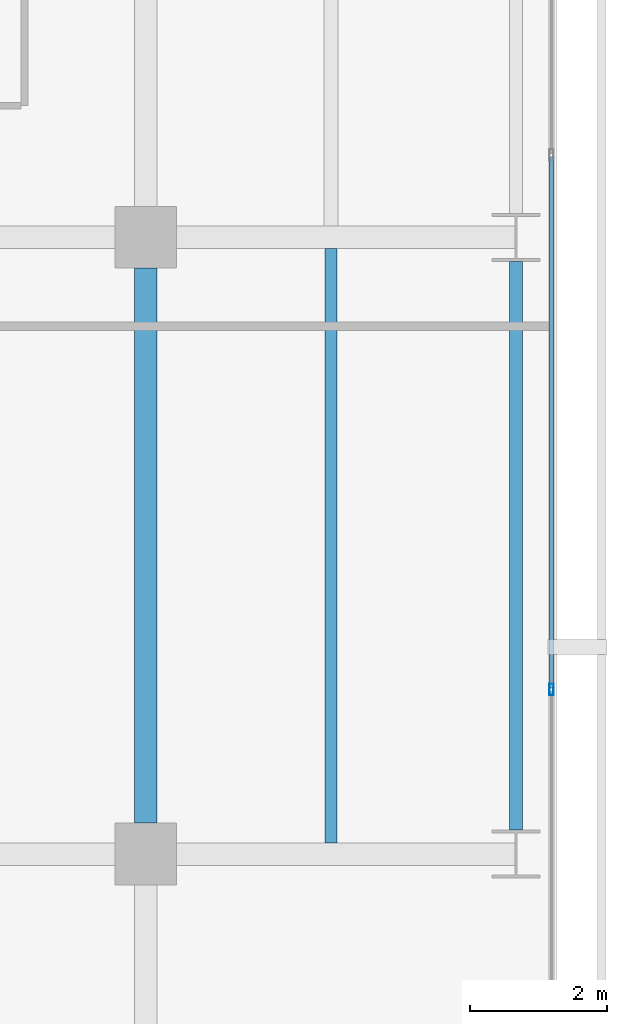
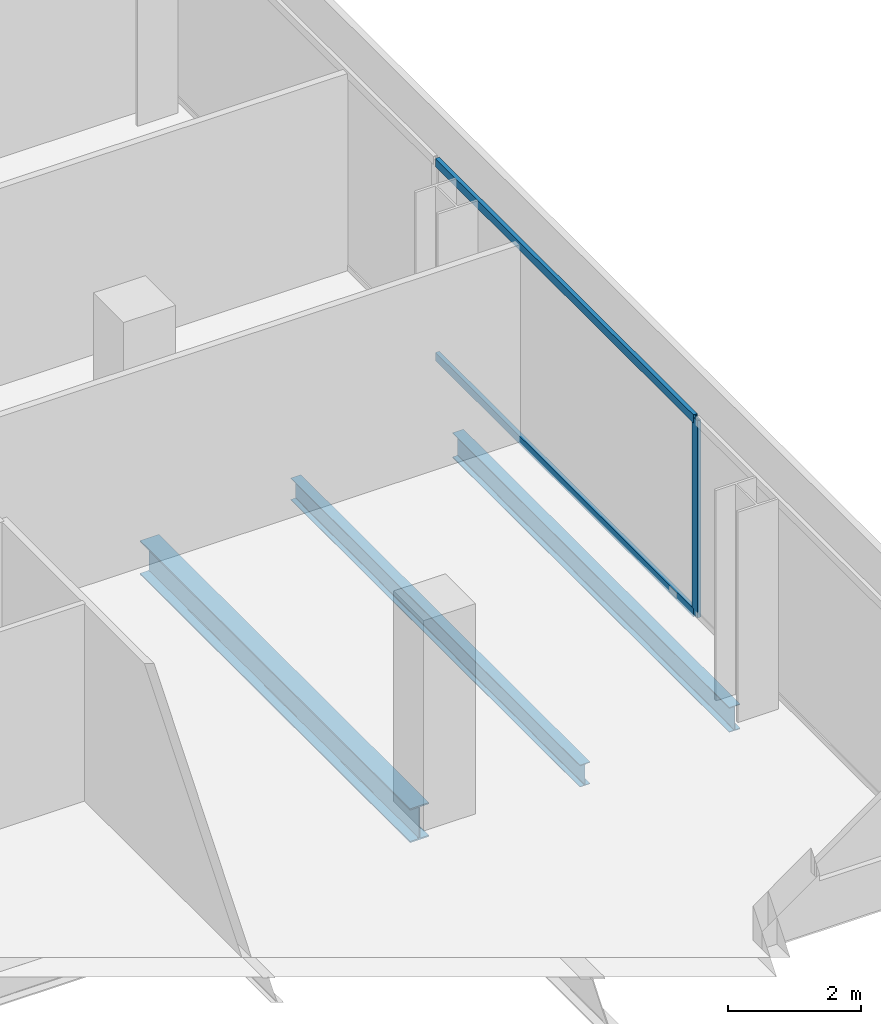
# One storey, part 17 of 40: 3 beams, 3 members, 1 element without a shape of its own.
"""IFC4 building model written with IfcOpenShell, lengths in metres."""

from ifc_helpers import new_model, si_unit, direction, frame, origin, origin_2d, place, context, subcontext, project, spatial, hollow_rectangle, i_section, extrude, material, layer, layer_set, material_profile, profile_set, type_object, element, aggregate, save


model = new_model("IFC4")

# Units and contexts
model_context = context("Model", 3, precision=1e-05, world=origin(), true_north=direction((0.0, 1.0)))
body_context = subcontext(model_context, "Body", "Model", "MODEL_VIEW")
ifc_project = project(units=[si_unit("LENGTHUNIT", "METRE"), si_unit("AREAUNIT", "SQUARE_METRE"), si_unit("VOLUMEUNIT", "CUBIC_METRE"), si_unit("PLANEANGLEUNIT", "RADIAN"), si_unit("MASSUNIT", "GRAM", prefix="KILO")], contexts=[model_context])

# Site, building, storey
site_placement = place(None, origin())
site = spatial("IfcSite", under=ifc_project, at=site_placement, CompositionType="ELEMENT")
building_placement = place(site_placement, origin())
building = spatial("IfcBuilding", under=site, at=building_placement, Name="Maruvema Waterfront Hotel and Observation Tower", CompositionType="ELEMENT")
storey_placement = place(building_placement, frame((0.0, 0.0, 42.35009765625)))
storey = spatial("IfcBuildingStorey", under=building, at=storey_placement, Name="L09", CompositionType="ELEMENT", Elevation=42.35009765625)

# Curtain wall, members
ifc_material_1 = material(Name="Anodised bronze aluminium and solar-control low-E IGU", Category="aluminium")
ifc_layer = layer(ifc_material_1, 0.159912109375, Name="Zone 1 Bronze Inner Thermal Curtain Wall System CW-02")
ifc_layer_set = layer_set([ifc_layer], Name="Anodised bronze aluminium and solar-control low-E IGU")
curtain_wall_type = type_object("IfcCurtainWallType", Name="Zone 1 Bronze Inner Thermal Curtain Wall System CW-02", PredefinedType="USERDEFINED", material=ifc_layer_set)
curtain_wall_placement = place(storey_placement, origin())
curtain_wall = element("IfcCurtainWall", 1, at=curtain_wall_placement, inside=storey, type_object=curtain_wall_type, Name="L09 Curtain Wall CW-L09-E", ObjectType="UNITISED CURTAIN WALL", PredefinedType="USERDEFINED")
ifc_material_2 = material(Name="Anodised architectural bronze aluminium", Category="aluminium")
ifc_material_profile_1 = material_profile(ifc_material_2, hollow_rectangle(XDim=0.070068359375, YDim=0.14990234375, WallThickness=0.00390625, at=origin_2d()), Name="ALU-T70x150")
ifc_profile_set_1 = profile_set([ifc_material_profile_1], Name="Anodised architectural bronze aluminium")
member_type_1 = type_object("IfcMemberType", Name="Curtain Wall Horizontal Transom ALU-T70x150", PredefinedType="USERDEFINED", material=ifc_profile_set_1)
member_1_placement = place(storey_placement, frame((64.719970703125, 11.429931640625, 0.02978515625), z_axis=(0.0, 1.0, 0.0), x_axis=(-1.0, 0.0, 0.0)))
member_1 = element("IfcMember", 2, at=member_1_placement, type_object=member_type_1, Name="CW-02 transom 2.1", ObjectType="TRANSOM", PredefinedType="USERDEFINED", context=body_context, shape_type="SweptSolid", body=[
    extrude(hollow_rectangle(XDim=0.070068359375, YDim=0.14990234375, WallThickness=0.00390625, at=origin_2d()), origin(), (0.0, 0.0, 1.0), 7.739990234375),
])
member_2_placement = place(storey_placement, frame((64.719970703125, 11.429931640625, 3.579833984375), z_axis=(0.0, 1.0, 0.0), x_axis=(-1.0, 0.0, 0.0)))
member_2 = element("IfcMember", 3, at=member_2_placement, type_object=member_type_1, Name="CW-02 transom 2.2", ObjectType="TRANSOM", PredefinedType="USERDEFINED", context=body_context, shape_type="SweptSolid", body=[
    extrude(hollow_rectangle(XDim=0.070068359375, YDim=0.14990234375, WallThickness=0.00390625, at=origin_2d()), origin(), (0.0, 0.0, 1.0), 7.739990234375),
])
ifc_material_3 = material(Name="Anodised architectural bronze aluminium", Category="aluminium")
ifc_material_profile_2 = material_profile(ifc_material_3, hollow_rectangle(XDim=0.06494140625, YDim=0.1650390625, WallThickness=0.00390625, at=origin_2d()), Name="ALU-M65x165")
ifc_profile_set_2 = profile_set([ifc_material_profile_2], Name="Anodised architectural bronze aluminium")
member_type_2 = type_object("IfcMemberType", Name="Curtain Wall Primary Mullion ALU-M65x165", PredefinedType="MULLION", material=ifc_profile_set_2)
member_3_placement = place(storey_placement, frame((64.719970703125, 11.39990234375, 0.0), z_axis=(0.0, 0.0, 1.0), x_axis=(-1.0, 0.0, 0.0)))
member_3 = element("IfcMember", 4, at=member_3_placement, type_object=member_type_2, Name="CW-02 mullion 2", PredefinedType="MULLION", context=body_context, shape_type="SweptSolid", body=[
    extrude(hollow_rectangle(XDim=0.06494140625, YDim=0.1650390625, WallThickness=0.00390625, at=origin_2d()), origin(), (0.0, 0.0, 1.0), 3.60986328125),
])
aggregate(curtain_wall, [member_3, member_1, member_2])

# Beams
ifc_material_4 = material(Name="Steel ASTM A572 Grade 50", Category="steel")
ifc_material_profile_3 = material_profile(ifc_material_4, i_section(OverallWidth=0.18994140625, OverallDepth=0.45703125, WebThickness=0.009033203125, FlangeThickness=0.014404296875, FilletRadius=0.014892578125, at=origin_2d()), Name="W460x74.0")
ifc_profile_set_3 = profile_set([ifc_material_profile_3], Name="Steel ASTM A572 Grade 50")
beam_type_1 = type_object("IfcBeamType", Name="Perimeter Spandrel Beam W460x74.0", PredefinedType="SPANDREL", material=ifc_profile_set_3)
beam_1_placement = place(storey_placement, frame((64.199951171875, 9.35009765625, -0.468505859375), z_axis=(0.0, 1.0, 0.0), x_axis=(-1.0, 0.0, 0.0)))
element("IfcBeam", 5, at=beam_1_placement, inside=storey, type_object=beam_type_1, Name="L09 Floor Girder NS-33", PredefinedType="SPANDREL", context=body_context, shape_type="SweptSolid", body=[
    extrude(i_section(OverallWidth=0.18994140625, OverallDepth=0.45703125, WebThickness=0.009033203125, FlangeThickness=0.014404296875, FilletRadius=0.014892578125, at=origin_2d()), origin(), (0.0, 0.0, 1.0), 8.2998046875),
])
ifc_material_5 = material(Name="Steel ASTM A572 Grade 50", Category="steel")
ifc_material_profile_4 = material_profile(ifc_material_5, i_section(OverallWidth=0.326904296875, OverallDepth=0.6220703125, WebThickness=0.015380859375, FlangeThickness=0.0244140625, FilletRadius=0.01806640625, at=origin_2d()), Name="W610x195.0")
ifc_profile_set_4 = profile_set([ifc_material_profile_4], Name="Steel ASTM A572 Grade 50")
beam_type_2 = type_object("IfcBeamType", Name="Primary Floor Girder W610x195.0", PredefinedType="BEAM", material=ifc_profile_set_4)
beam_2_placement = place(storey_placement, frame((58.800048828125, 9.449951171875, -0.551025390625), z_axis=(0.0, 1.0, 0.0), x_axis=(-1.0, 0.0, 0.0)))
element("IfcBeam", 6, at=beam_2_placement, inside=storey, type_object=beam_type_2, Name="L09 Floor Girder NS-28", PredefinedType="BEAM", context=body_context, shape_type="SweptSolid", body=[
    extrude(i_section(OverallWidth=0.326904296875, OverallDepth=0.6220703125, WebThickness=0.015380859375, FlangeThickness=0.0244140625, FilletRadius=0.01806640625, at=origin_2d()), origin(), (0.0, 0.0, 1.0), 8.10009765625),
])
ifc_material_6 = material(Name="Steel ASTM A572 Grade 50", Category="steel")
ifc_material_profile_5 = material_profile(ifc_material_6, i_section(OverallWidth=0.177001953125, OverallDepth=0.403076171875, WebThickness=0.007568359375, FlangeThickness=0.010986328125, FilletRadius=0.014892578125, at=origin_2d()), Name="W410x53.0")
ifc_profile_set_5 = profile_set([ifc_material_profile_5], Name="Steel ASTM A572 Grade 50")
beam_type_3 = type_object("IfcBeamType", Name="Secondary Floor Joist W410x53.0", PredefinedType="JOIST", material=ifc_profile_set_5)
beam_3_placement = place(storey_placement, frame((61.5, 9.16357421875, -0.441650390625), z_axis=(0.0, 1.0, 0.0), x_axis=(-1.0, 0.0, 0.0)))
element("IfcBeam", 7, at=beam_3_placement, inside=storey, type_object=beam_type_3, Name="L09 Secondary Floor Joist JS-21", PredefinedType="JOIST", context=body_context, shape_type="SweptSolid", body=[
    extrude(i_section(OverallWidth=0.177001953125, OverallDepth=0.403076171875, WebThickness=0.007568359375, FlangeThickness=0.010986328125, FilletRadius=0.014892578125, at=origin_2d()), origin(), (0.0, 0.0, 1.0), 8.6728515625),
])

save(model, "model.ifc")
